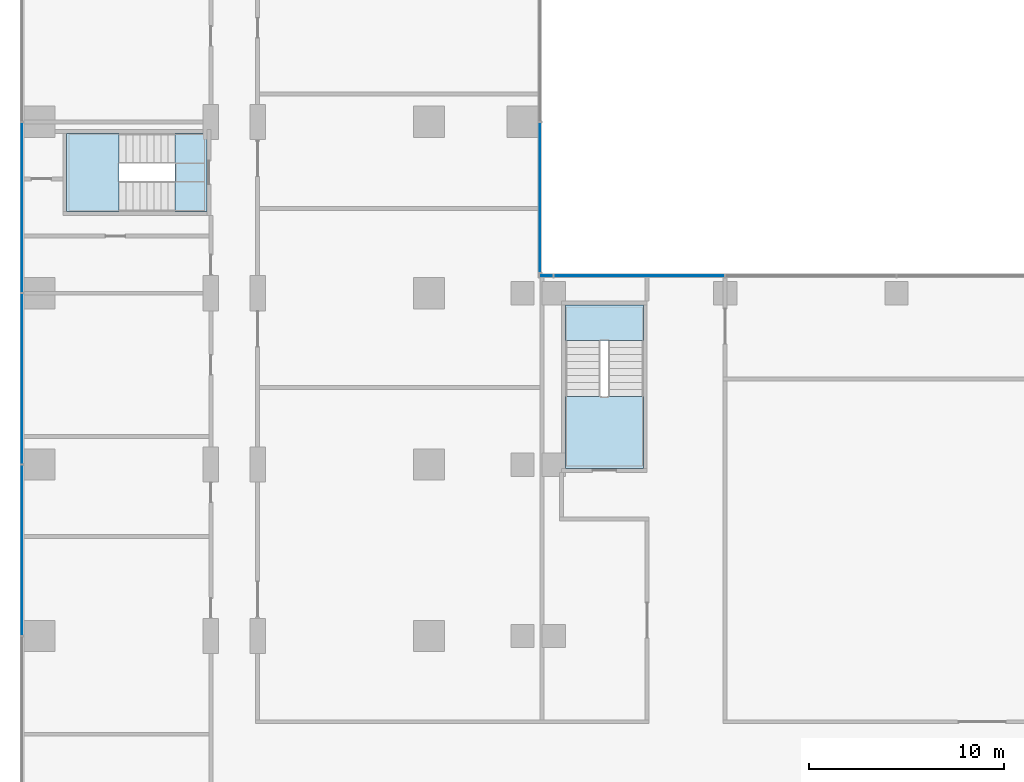
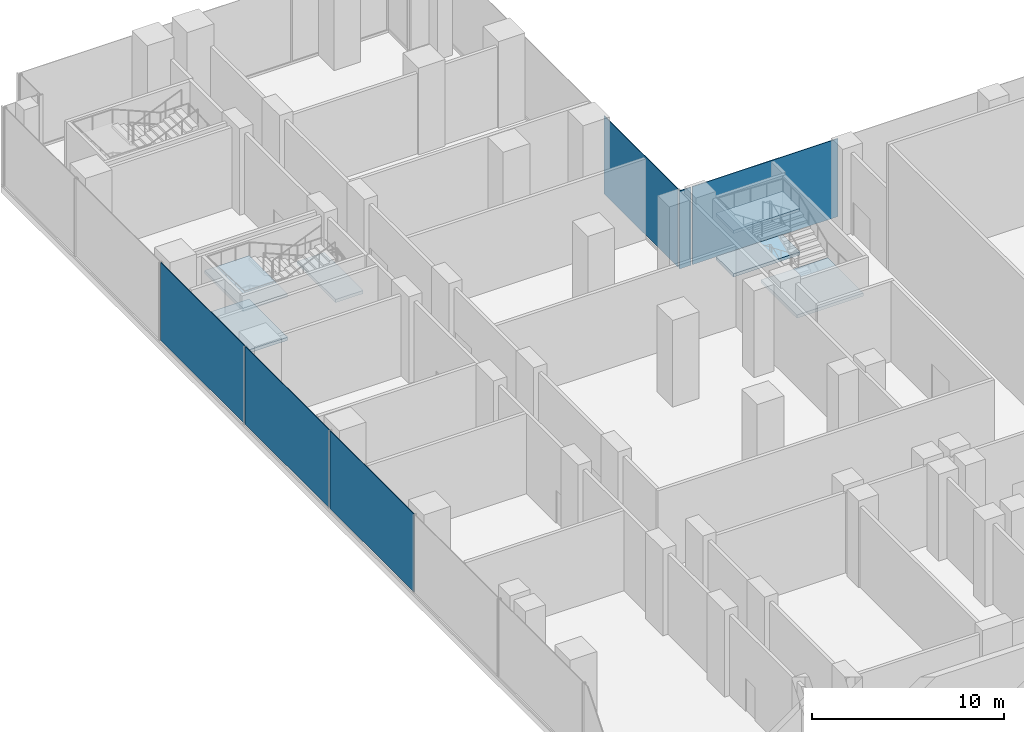
# One storey, part 14 of 30: 6 plates, 6 slabs, 5 elements without a shape of their own.
"""IFC4 building model written with IfcOpenShell, lengths in metres."""

from ifc_helpers import new_model, si_unit, direction, frame, origin, origin_2d, place, context, subcontext, project, spatial, polyline, rectangle, outline, extrude, source, transform, mapped, material, layer, layer_set, type_object, element, aggregate, save


model = new_model("IFC4")

# Units and contexts
model_context = context("Model", 3, precision=1e-05, world=origin(), true_north=direction((0.0, 1.0)))
body_context = subcontext(model_context, "Body", "Model", "MODEL_VIEW")
ifc_project = project(units=[si_unit("LENGTHUNIT", "METRE"), si_unit("AREAUNIT", "SQUARE_METRE"), si_unit("VOLUMEUNIT", "CUBIC_METRE"), si_unit("PLANEANGLEUNIT", "RADIAN"), si_unit("MASSUNIT", "GRAM", prefix="KILO")], contexts=[model_context])

# Site, building, storey
site_placement = place(None, origin())
site = spatial("IfcSite", under=ifc_project, at=site_placement, CompositionType="ELEMENT")
building_placement = place(site_placement, origin())
building = spatial("IfcBuilding", under=site, at=building_placement, Name="Kemantara Hotel Tower", CompositionType="ELEMENT")
storey_placement = place(building_placement, frame((0.0, 0.0, 18.0)))
storey = spatial("IfcBuildingStorey", under=building, at=storey_placement, Name="L03", CompositionType="ELEMENT", Elevation=18.0)

# Stair, slabs
ifc_material_1 = material(Name="Concrete fc 40 MPa", Category="concrete")
stair_type_1 = type_object("IfcStairType", Name="Stair 1550 wide 36 risers of 153 x 360 mm", PredefinedType="HALF_TURN_STAIR", material=ifc_material_1)
stair_1_placement = place(storey_placement, origin())
stair_1 = element("IfcStair", 1, at=stair_1_placement, inside=storey, type_object=stair_type_1, Name="L03 Exit stair ST4", PredefinedType="HALF_TURN_STAIR")
ifc_layer_1 = layer(ifc_material_1, 0.199951171875)
ifc_layer_set_1 = layer_set([ifc_layer_1], Name="Concrete fc 40 MPa")
slab_type = type_object("IfcSlabType", Name="Stair landing 200 mm", PredefinedType="LANDING", material=ifc_layer_set_1)
slab_1_placement = place(storey_placement, frame((0.0, 0.0, 1.175048828125)))
slab_1 = element("IfcSlab", 2, at=slab_1_placement, type_object=slab_type, Name="ST4 landing 1", PredefinedType="LANDING", context=body_context, shape_type="SweptSolid", body=[
    extrude(outline(polyline([(5.070068359375, 62.0), (2.39990234375, 62.0), (2.39990234375, 58.0), (5.070068359375, 58.0), (5.070068359375, 62.0)])), origin(), (0.0, 0.0, 1.0), 0.199951171875),
])
slab_2_placement = place(storey_placement, frame((0.0, 0.0, 2.550048828125)))
slab_2 = element("IfcSlab", 3, at=slab_2_placement, type_object=slab_type, Name="ST4 landing 2", PredefinedType="LANDING", context=body_context, shape_type="SweptSolid", body=[
    extrude(outline(polyline([(9.60009765625, 62.0), (7.949951171875, 62.0), (7.949951171875, 58.0), (9.60009765625, 58.0), (9.60009765625, 62.0)])), origin(), (0.0, 0.0, 1.0), 0.199951171875),
])
slab_3_placement = place(storey_placement, frame((0.0, 0.0, 3.925048828125)))
slab_3 = element("IfcSlab", 4, at=slab_3_placement, type_object=slab_type, Name="ST4 landing 3", PredefinedType="LANDING", context=body_context, shape_type="SweptSolid", body=[
    extrude(outline(polyline([(5.070068359375, 62.0), (2.39990234375, 62.0), (2.39990234375, 58.0), (5.070068359375, 58.0), (5.070068359375, 62.0)])), origin(), (0.0, 0.0, 1.0), 0.199951171875),
])
aggregate(stair_1, [slab_1, slab_2, slab_3])

stair_type_2 = type_object("IfcStairType", Name="Stair 1800 wide 36 risers of 153 x 360 mm", PredefinedType="HALF_TURN_STAIR", material=ifc_material_1)
stair_2_placement = place(storey_placement, origin())
stair_2 = element("IfcStair", 5, at=stair_2_placement, inside=storey, type_object=stair_type_2, Name="L03 Stair PS2", PredefinedType="HALF_TURN_STAIR")
slab_4_placement = place(storey_placement, frame((0.0, 0.0, 1.175048828125)))
slab_4 = element("IfcSlab", 6, at=slab_4_placement, type_object=slab_type, Name="PS2 landing 1", PredefinedType="LANDING", context=body_context, shape_type="SweptSolid", body=[
    extrude(outline(polyline([(32.0, 51.3798828125), (32.0, 53.199951171875), (28.0, 53.199951171875), (28.0, 51.3798828125), (32.0, 51.3798828125)])), origin(), (0.0, 0.0, 1.0), 0.199951171875),
])
slab_5_placement = place(storey_placement, frame((0.0, 0.0, 2.550048828125)))
slab_5 = element("IfcSlab", 7, at=slab_5_placement, type_object=slab_type, Name="PS2 landing 2", PredefinedType="LANDING", context=body_context, shape_type="SweptSolid", body=[
    extrude(outline(polyline([(32.0, 44.800048828125), (32.0, 48.5), (28.0, 48.5), (28.0, 44.800048828125), (32.0, 44.800048828125)])), origin(), (0.0, 0.0, 1.0), 0.199951171875),
])
slab_6_placement = place(storey_placement, frame((0.0, 0.0, 3.925048828125)))
slab_6 = element("IfcSlab", 8, at=slab_6_placement, type_object=slab_type, Name="PS2 landing 3", PredefinedType="LANDING", context=body_context, shape_type="SweptSolid", body=[
    extrude(outline(polyline([(32.0, 51.3798828125), (32.0, 53.199951171875), (28.0, 53.199951171875), (28.0, 51.3798828125), (32.0, 51.3798828125)])), origin(), (0.0, 0.0, 1.0), 0.199951171875),
])
aggregate(stair_2, [slab_4, slab_5, slab_6])

# Curtain wall, plate
ifc_material_2 = material(Name="Laminated tinted insulated glass 44 mm", Category="glass")
curtain_wall_type = type_object("IfcCurtainWallType", Name="PODIUM GLASS CURTAIN WALL", PredefinedType="USERDEFINED", material=ifc_material_2)
curtain_wall_1_placement = place(storey_placement, origin())
curtain_wall_1 = element("IfcCurtainWall", 9, at=curtain_wall_1_placement, inside=storey, type_object=curtain_wall_type, Name="CW1 L03 POD-R09-1", ObjectType="PODIUM GLASS CURTAIN WALL", PredefinedType="USERDEFINED")
ifc_layer_2 = layer(ifc_material_2, 0.0439453125)
ifc_layer_set_2 = layer_set([ifc_layer_2], Name="Laminated tinted insulated glass 44 mm")
plate_type = type_object("IfcPlateType", Name="PODIUM GLASS CURTAIN WALL PANEL", PredefinedType="CURTAIN_PANEL", material=ifc_layer_set_2)
shared_shape_1 = source(origin(), body_context, "Body", "SweptSolid", [
    extrude(rectangle(XDim=8.72509765625, YDim=0.0439453125, at=origin_2d()), origin(), (0.0, 0.0, 1.0), 4.949951171875),
])
plate_1_placement = place(storey_placement, frame((31.800048828125, 54.699951171875, 0.14990234375), z_axis=(0.0, 0.0, 1.0), x_axis=(-1.0, 0.0, 0.0)))
plate_1 = element("IfcPlate", 10, at=plate_1_placement, type_object=plate_type, Name="CW1 glass panel POD-R09-1.5", PredefinedType="CURTAIN_PANEL", context=body_context, shape_type="MappedRepresentation", body=[
    mapped(shared_shape_1, transform((0.0, 0.0, 0.0))),
])

# Curtain wall, plates
curtain_wall_2_placement = place(storey_placement, origin())
curtain_wall_2 = element("IfcCurtainWall", 11, at=curtain_wall_2_placement, inside=storey, type_object=curtain_wall_type, Name="CW1 L03 POD-R16-1", ObjectType="PODIUM GLASS CURTAIN WALL", PredefinedType="USERDEFINED")
plate_2_placement = place(storey_placement, frame((0.10009765625, 58.199951171875, 0.14990234375), z_axis=(0.0, 0.0, 1.0), x_axis=(0.0, -1.0, 0.0)))
plate_2 = element("IfcPlate", 12, at=plate_2_placement, type_object=plate_type, Name="CW1 glass panel POD-R16-1.3", PredefinedType="CURTAIN_PANEL", context=body_context, shape_type="MappedRepresentation", body=[
    mapped(shared_shape_1, transform((0.0, 0.0, 0.0))),
])
plate_3_placement = place(storey_placement, frame((0.10009765625, 49.39990234375, 0.14990234375), z_axis=(0.0, 0.0, 1.0), x_axis=(0.0, -1.0, 0.0)))
plate_3 = element("IfcPlate", 13, at=plate_3_placement, type_object=plate_type, Name="CW1 glass panel POD-R16-1.4", PredefinedType="CURTAIN_PANEL", context=body_context, shape_type="MappedRepresentation", body=[
    mapped(shared_shape_1, transform((0.0, 0.0, 0.0))),
])
plate_4_placement = place(storey_placement, frame((0.10009765625, 40.60009765625, 0.14990234375), z_axis=(0.0, 0.0, 1.0), x_axis=(0.0, -1.0, 0.0)))
plate_4 = element("IfcPlate", 14, at=plate_4_placement, type_object=plate_type, Name="CW1 glass panel POD-R16-1.5", PredefinedType="CURTAIN_PANEL", context=body_context, shape_type="MappedRepresentation", body=[
    mapped(shared_shape_1, transform((0.0, 0.0, 0.0))),
])
aggregate(curtain_wall_2, [plate_2, plate_3, plate_4])

# Plate
shared_shape_2 = source(origin(), body_context, "Body", "SweptSolid", [
    extrude(rectangle(XDim=0.6875, YDim=0.0439453125, at=origin_2d()), origin(), (0.0, 0.0, 1.0), 4.949951171875),
])
plate_5_placement = place(storey_placement, frame((27.018798828125, 54.699951171875, 0.14990234375), z_axis=(0.0, 0.0, 1.0), x_axis=(-1.0, 0.0, 0.0)))
plate_5 = element("IfcPlate", 15, at=plate_5_placement, type_object=plate_type, Name="CW1 glass panel POD-R09-1.6", PredefinedType="CURTAIN_PANEL", context=body_context, shape_type="MappedRepresentation", body=[
    mapped(shared_shape_2, transform((0.0, 0.0, 0.0))),
])

aggregate(curtain_wall_1, [plate_1, plate_5])

# Curtain wall, plate
curtain_wall_3_placement = place(storey_placement, origin())
curtain_wall_3 = element("IfcCurtainWall", 16, at=curtain_wall_3_placement, inside=storey, type_object=curtain_wall_type, Name="CW1 L03 POD-R10-1", ObjectType="PODIUM GLASS CURTAIN WALL", PredefinedType="USERDEFINED")
shared_shape_3 = source(origin(), body_context, "Body", "SweptSolid", [
    extrude(rectangle(XDim=7.6875, YDim=0.0439453125, at=origin_2d()), origin(), (0.0, 0.0, 1.0), 4.949951171875),
])
plate_6_placement = place(storey_placement, frame((26.699951171875, 58.71875, 0.14990234375), z_axis=(0.0, 0.0, 1.0), x_axis=(0.0, 1.0, 0.0)))
plate_6 = element("IfcPlate", 17, at=plate_6_placement, type_object=plate_type, Name="CW1 glass panel POD-R10-1.1", PredefinedType="CURTAIN_PANEL", context=body_context, shape_type="MappedRepresentation", body=[
    mapped(shared_shape_3, transform((0.0, 0.0, 0.0))),
])
aggregate(curtain_wall_3, [plate_6])

save(model, "model.ifc")
